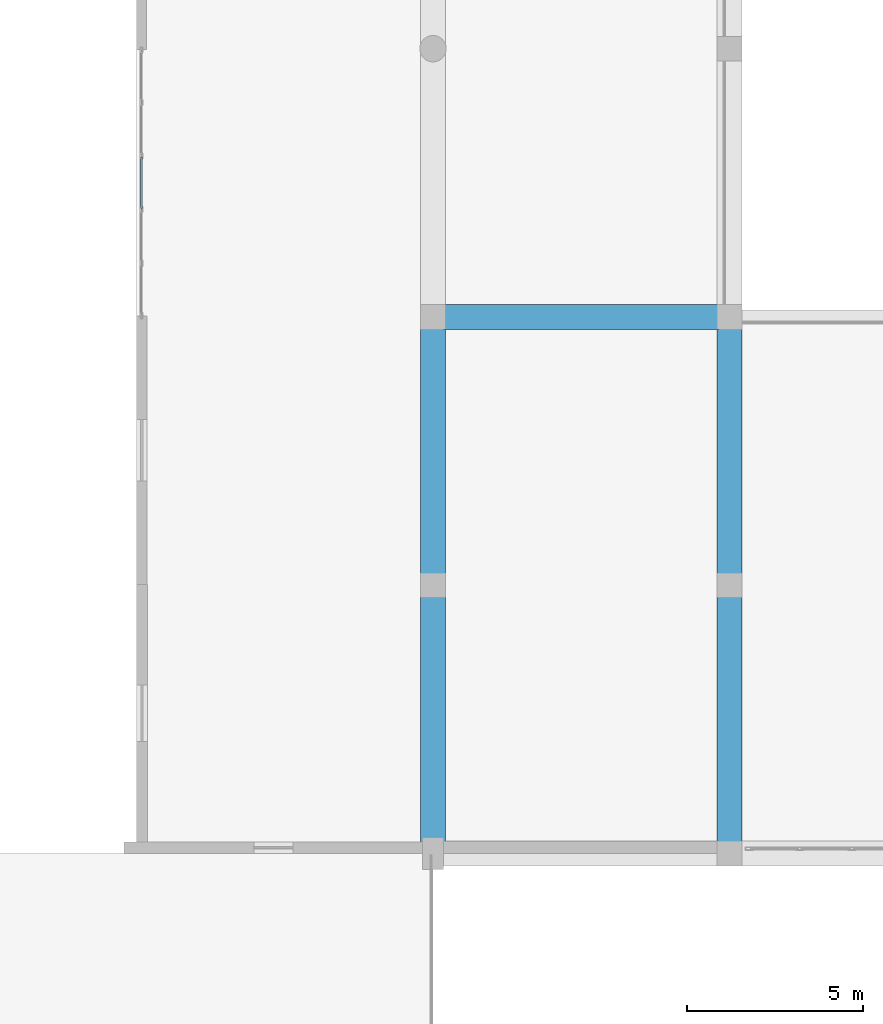
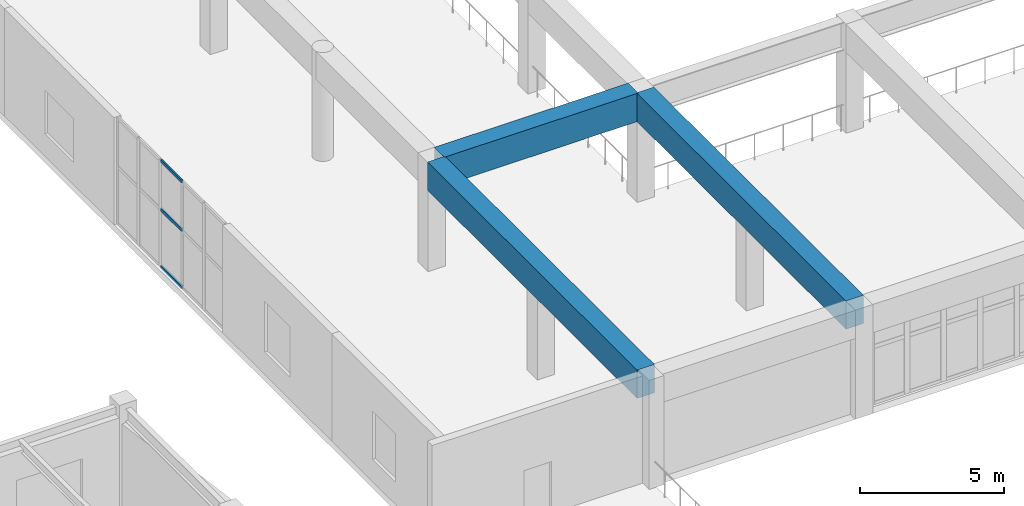
# One storey, part 15 of 72: 3 beams, 3 members, 1 element without a shape of its own.
"""IFC4 building model written with IfcOpenShell, lengths in metres."""

from ifc_helpers import new_model, si_unit, direction, frame, origin, origin_2d, place, context, subcontext, project, spatial, rectangle, hollow_rectangle, extrude, material, layer, layer_set, material_profile, profile_set, type_object, element, aggregate, save


model = new_model("IFC4")

# Units and contexts
model_context = context("Model", 3, precision=1e-05, world=origin(), true_north=direction((0.0, 1.0)))
body_context = subcontext(model_context, "Body", "Model", "MODEL_VIEW")
ifc_project = project(units=[si_unit("LENGTHUNIT", "METRE"), si_unit("AREAUNIT", "SQUARE_METRE"), si_unit("VOLUMEUNIT", "CUBIC_METRE"), si_unit("PLANEANGLEUNIT", "RADIAN"), si_unit("MASSUNIT", "GRAM", prefix="KILO")], contexts=[model_context])

# Site, building, storey
site_placement = place(None, origin())
site = spatial("IfcSite", under=ifc_project, at=site_placement, CompositionType="ELEMENT")
building_placement = place(site_placement, origin())
building = spatial("IfcBuilding", under=site, at=building_placement, Name="Xicomal Pleat Aquarium", CompositionType="ELEMENT")
storey_placement = place(building_placement, frame((0.0, 0.0, 10.5)))
storey = spatial("IfcBuildingStorey", under=building, at=storey_placement, Name="L03", CompositionType="ELEMENT", Elevation=10.5)

# Beams
ifc_material_1 = material(Name="Concrete C45/55", Category="concrete")
ifc_material_profile_1 = material_profile(ifc_material_1, rectangle(XDim=0.699951171875, YDim=1.199951171875, at=origin_2d()), Name="RC 700x1200")
ifc_profile_set_1 = profile_set([ifc_material_profile_1], Name="Concrete C45/55")
beam_type = type_object("IfcBeamType", Name="BM-RC-700x1200", PredefinedType="SPANDREL", material=ifc_profile_set_1)
beam_placement = place(storey_placement, frame((52.5, 45.60009765625, 4.034912109375), z_axis=(1.0, 0.0, 0.0), x_axis=(0.0, 1.0, 0.0)))
element("IfcBeam", 1, at=beam_placement, inside=storey, type_object=beam_type, Name="Ocean hall shell edge girder 07-08/G", PredefinedType="SPANDREL", context=body_context, shape_type="SweptSolid", body=[
    extrude(rectangle(XDim=0.699951171875, YDim=1.199951171875, at=origin_2d()), origin(), (0.0, 0.0, 1.0), 7.800048828125),
])
for number, where, z_axis, x_axis, name in (
    (2, (52.199951171875, 30.699951171875, 4.034912109375), (0.0, 1.0, 0.0), (-1.0, 0.0, 0.0), "Ocean hall visible shell edge beam 07 E-G"),
    (3, (60.60009765625, 30.699951171875, 4.034912109375), (0.0, 1.0, 0.0), (-1.0, 0.0, 0.0), "Ocean hall visible shell edge beam 08 E-G"),
):
    element("IfcBeam", number, at=place(storey_placement, frame(where, z_axis=z_axis, x_axis=x_axis)), inside=storey, type_object=beam_type, Name=name, PredefinedType="SPANDREL", context=body_context, shape_type="SweptSolid", body=[
        extrude(rectangle(XDim=0.699951171875, YDim=1.199951171875, at=origin_2d()), origin(), (0.0, 0.0, 1.0), 14.60009765625),
    ])

# Curtain wall, members
ifc_material_2 = material(Name="Bronze anodized aluminium 6063-T6", Category="aluminium")
ifc_layer = layer(ifc_material_2, 0.159912109375)
ifc_layer_set = layer_set([ifc_layer], Name="Bronze anodized aluminium 6063-T6")
curtain_wall_type = type_object("IfcCurtainWallType", Name="CW-SYS-03", PredefinedType="NOTDEFINED", material=ifc_layer_set)
curtain_wall_placement = place(storey_placement, origin())
curtain_wall = element("IfcCurtainWall", 4, at=curtain_wall_placement, inside=storey, type_object=curtain_wall_type, Name="L03 unitised curtain wall CW-L03-168", PredefinedType="NOTDEFINED")
ifc_material_3 = material(Name="Bronze anodized aluminium 6063-T6", Category="aluminium")
ifc_material_profile_2 = material_profile(ifc_material_3, hollow_rectangle(XDim=0.06494140625, YDim=0.1298828125, WallThickness=0.00390625, at=origin_2d()), Name="ALU TRAN 65x130")
ifc_profile_set_2 = profile_set([ifc_material_profile_2], Name="Bronze anodized aluminium 6063-T6")
member_type = type_object("IfcMemberType", Name="CWT-65x130", PredefinedType="USERDEFINED", material=ifc_profile_set_2)
member_1_placement = place(storey_placement, frame((43.93994140625, 48.672607421875, 0.032470703125), z_axis=(0.0, 1.0, 0.0), x_axis=(-1.0, 0.0, 0.0)))
member_1 = element("IfcMember", 5, at=member_1_placement, type_object=member_type, Name="CW-03 transom 3.1", ObjectType="TRANSOM", PredefinedType="USERDEFINED", context=body_context, shape_type="SweptSolid", body=[
    extrude(hollow_rectangle(XDim=0.06494140625, YDim=0.1298828125, WallThickness=0.00390625, at=origin_2d()), origin(), (0.0, 0.0, 1.0), 1.454833984375),
])
member_2_placement = place(storey_placement, frame((43.93994140625, 48.672607421875, 2.4619140625), z_axis=(0.0, 1.0, 0.0), x_axis=(-1.0, 0.0, 0.0)))
member_2 = element("IfcMember", 6, at=member_2_placement, type_object=member_type, Name="CW-03 transom 3.2", ObjectType="TRANSOM", PredefinedType="USERDEFINED", context=body_context, shape_type="SweptSolid", body=[
    extrude(hollow_rectangle(XDim=0.06494140625, YDim=0.1298828125, WallThickness=0.00390625, at=origin_2d()), origin(), (0.0, 0.0, 1.0), 1.454833984375),
])
member_3_placement = place(storey_placement, frame((43.93994140625, 48.672607421875, 4.527587890625), z_axis=(0.0, 1.0, 0.0), x_axis=(-1.0, 0.0, 0.0)))
member_3 = element("IfcMember", 7, at=member_3_placement, type_object=member_type, Name="CW-03 transom 3.3", ObjectType="TRANSOM", PredefinedType="USERDEFINED", context=body_context, shape_type="SweptSolid", body=[
    extrude(hollow_rectangle(XDim=0.06494140625, YDim=0.1298828125, WallThickness=0.00390625, at=origin_2d()), origin(), (0.0, 0.0, 1.0), 1.454833984375),
])
aggregate(curtain_wall, [member_1, member_2, member_3])

save(model, "model.ifc")
